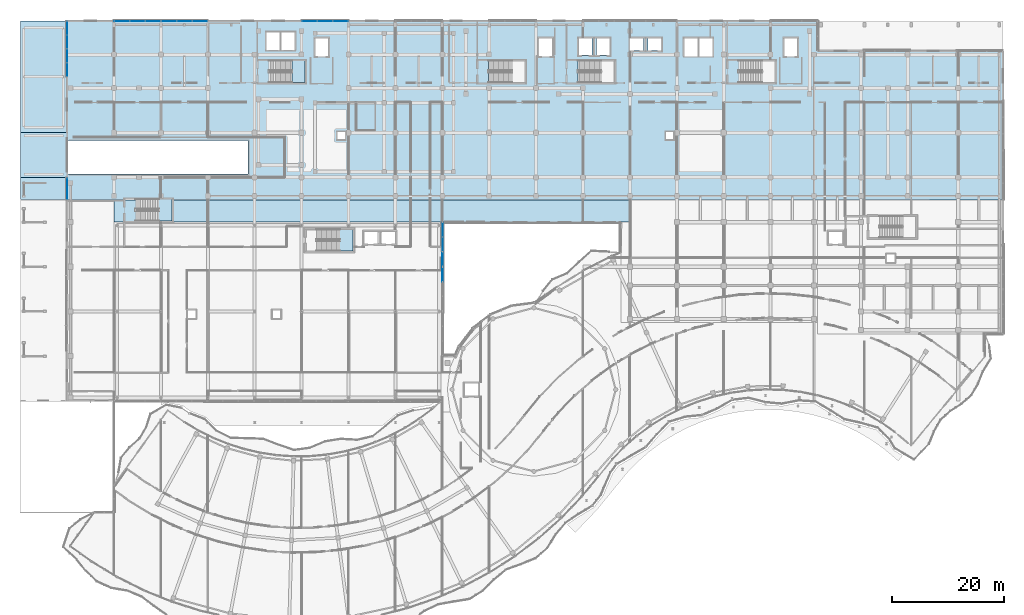
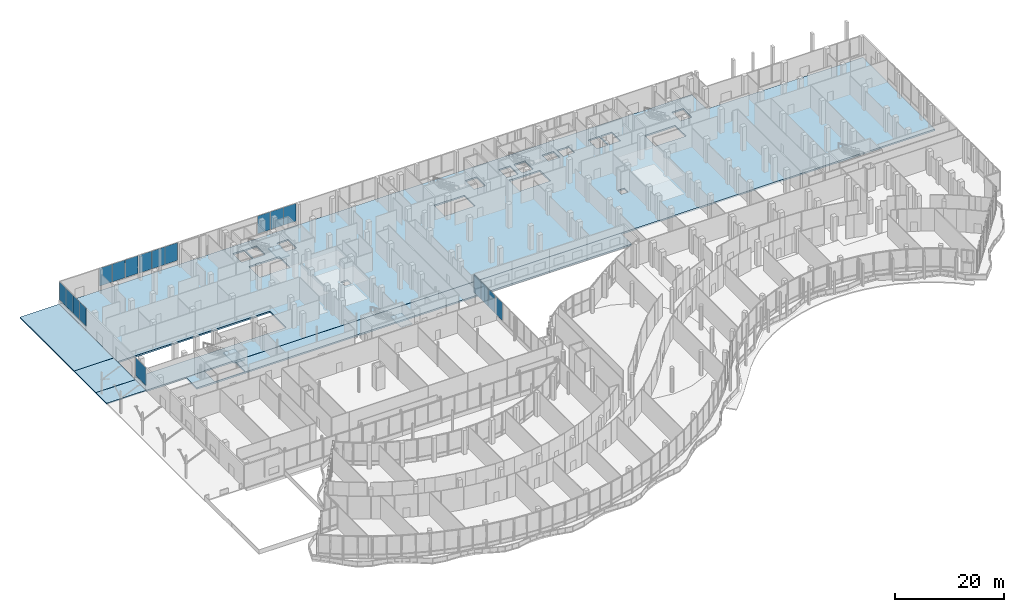
# One storey, part 127 of 158: 18 plates, 8 slabs, 10 elements without a shape of their own.
"""IFC4 building model written with IfcOpenShell, lengths in metres."""

from ifc_helpers import new_model, si_unit, direction, frame, origin, origin_2d, place, context, subcontext, project, spatial, polyline, rectangle, outline, extrude, material, layer, layer_set, type_object, element, aggregate, save


model = new_model("IFC4")

# Units and contexts
model_context = context("Model", 3, precision=1e-05, world=origin(), true_north=direction((0.0, 1.0)))
body_context = subcontext(model_context, "Body", "Model", "MODEL_VIEW")
ifc_project = project(units=[si_unit("LENGTHUNIT", "METRE"), si_unit("AREAUNIT", "SQUARE_METRE"), si_unit("VOLUMEUNIT", "CUBIC_METRE"), si_unit("PLANEANGLEUNIT", "RADIAN"), si_unit("MASSUNIT", "GRAM", prefix="KILO")], contexts=[model_context])

# Site, building, storey
site_placement = place(None, origin())
site = spatial("IfcSite", under=ifc_project, at=site_placement, CompositionType="ELEMENT")
building_placement = place(site_placement, origin())
building = spatial("IfcBuilding", under=site, at=building_placement, Name="Selatvlak General Hospital", CompositionType="ELEMENT")
storey_placement = place(building_placement, origin())
storey = spatial("IfcBuildingStorey", under=building, at=storey_placement, Name="L00", CompositionType="ELEMENT", Elevation=0.0)

# Curtain wall, plate
ifc_material_1 = material(Name="Solar-control Low-E double glazing", Category="glass")
curtain_wall_type_1 = type_object("IfcCurtainWallType", Name="CW-CW-02", PredefinedType="USERDEFINED", material=ifc_material_1)
curtain_wall_1_placement = place(storey_placement, origin())
curtain_wall_1 = element("IfcCurtainWall", 1, at=curtain_wall_1_placement, inside=storey, type_object=curtain_wall_type_1, Name="Glazed facade curtain wall CW-L00-0001", ObjectType="UNITISED CURTAIN WALL", PredefinedType="USERDEFINED")
ifc_layer_1 = layer(ifc_material_1, 0.028076171875, Name="Solar-control Low-E double glazing", Category="glass")
ifc_layer_set_1 = layer_set([ifc_layer_1], Name="Solar-control Low-E double glazing")
plate_type = type_object("IfcPlateType", Name="CWP-01", PredefinedType="CURTAIN_PANEL", material=ifc_layer_set_1)
plate_1_placement = place(storey_placement, frame((14.39990234375, 89.9794921875, 1.0048828125), z_axis=(0.0, 0.0, 1.0), x_axis=(0.0, 1.0, 0.0)))
plate_1 = element("IfcPlate", 2, at=plate_1_placement, type_object=plate_type, Name="CW-02 panel 1.1", PredefinedType="CURTAIN_PANEL", context=body_context, shape_type="SweptSolid", body=[
    extrude(rectangle(XDim=3.801025390625, YDim=0.028076171875, at=origin_2d()), origin(), (0.0, 0.0, 1.0), 4.010009765625),
])
aggregate(curtain_wall_1, [plate_1])

# Curtain wall, plates
curtain_wall_type_2 = type_object("IfcCurtainWallType", Name="CW-CW-01", PredefinedType="USERDEFINED", material=ifc_material_1)
curtain_wall_2_placement = place(storey_placement, origin())
curtain_wall_2 = element("IfcCurtainWall", 3, at=curtain_wall_2_placement, inside=storey, type_object=curtain_wall_type_2, Name="Glazed facade curtain wall CW-L00-0002", ObjectType="UNITISED CURTAIN WALL", PredefinedType="USERDEFINED")
plate_2_placement = place(storey_placement, frame((14.39990234375, 111.2939453125, 1.0048828125), z_axis=(0.0, 0.0, 1.0), x_axis=(0.0, 1.0, 0.0)))
plate_2 = element("IfcPlate", 4, at=plate_2_placement, type_object=plate_type, Name="CW-01 panel 1.1", PredefinedType="CURTAIN_PANEL", context=body_context, shape_type="SweptSolid", body=[
    extrude(rectangle(XDim=2.389892578125, YDim=0.028076171875, at=origin_2d()), origin(), (0.0, 0.0, 1.0), 4.010009765625),
])
plate_3_placement = place(storey_placement, frame((14.39990234375, 113.76513671875, 1.0048828125), z_axis=(0.0, 0.0, 1.0), x_axis=(0.0, 1.0, 0.0)))
plate_3 = element("IfcPlate", 5, at=plate_3_placement, type_object=plate_type, Name="CW-01 panel 2.1", PredefinedType="CURTAIN_PANEL", context=body_context, shape_type="SweptSolid", body=[
    extrude(rectangle(XDim=2.422607421875, YDim=0.028076171875, at=origin_2d()), origin(), (0.0, 0.0, 1.0), 4.010009765625),
])
plate_4_placement = place(storey_placement, frame((14.39990234375, 116.252685546875, 1.0048828125), z_axis=(0.0, 0.0, 1.0), x_axis=(0.0, 1.0, 0.0)))
plate_4 = element("IfcPlate", 6, at=plate_4_placement, type_object=plate_type, Name="CW-01 panel 3.1", PredefinedType="CURTAIN_PANEL", context=body_context, shape_type="SweptSolid", body=[
    extrude(rectangle(XDim=2.422607421875, YDim=0.028076171875, at=origin_2d()), origin(), (0.0, 0.0, 1.0), 4.010009765625),
])
plate_5_placement = place(storey_placement, frame((14.39990234375, 118.72412109375, 1.0048828125), z_axis=(0.0, 0.0, 1.0), x_axis=(0.0, 1.0, 0.0)))
plate_5 = element("IfcPlate", 7, at=plate_5_placement, type_object=plate_type, Name="CW-01 panel 4.1", PredefinedType="CURTAIN_PANEL", context=body_context, shape_type="SweptSolid", body=[
    extrude(rectangle(XDim=2.389892578125, YDim=0.028076171875, at=origin_2d()), origin(), (0.0, 0.0, 1.0), 4.010009765625),
])
aggregate(curtain_wall_2, [plate_2, plate_3, plate_4, plate_5])

curtain_wall_3_placement = place(storey_placement, origin())
curtain_wall_3 = element("IfcCurtainWall", 8, at=curtain_wall_3_placement, inside=storey, type_object=curtain_wall_type_2, Name="Glazed facade curtain wall CW-L00-0003", ObjectType="UNITISED CURTAIN WALL", PredefinedType="USERDEFINED")
plate_6_placement = place(storey_placement, frame((24.226318359375, 119.9990234375, 1.0048828125), z_axis=(0.0, 0.0, 1.0), x_axis=(1.0, 0.0, 0.0)))
plate_6 = element("IfcPlate", 9, at=plate_6_placement, type_object=plate_type, Name="CW-01 panel 1.1", PredefinedType="CURTAIN_PANEL", context=body_context, shape_type="SweptSolid", body=[
    extrude(rectangle(XDim=2.6923828125, YDim=0.028076171875, at=origin_2d()), origin(), (0.0, 0.0, 1.0), 4.010009765625),
])
plate_7_placement = place(storey_placement, frame((27.0, 119.9990234375, 1.0048828125), z_axis=(0.0, 0.0, 1.0), x_axis=(1.0, 0.0, 0.0)))
plate_7 = element("IfcPlate", 10, at=plate_7_placement, type_object=plate_type, Name="CW-01 panel 2.1", PredefinedType="CURTAIN_PANEL", context=body_context, shape_type="SweptSolid", body=[
    extrude(rectangle(XDim=2.72509765625, YDim=0.028076171875, at=origin_2d()), origin(), (0.0, 0.0, 1.0), 4.010009765625),
])
plate_8_placement = place(storey_placement, frame((29.773681640625, 119.9990234375, 1.0048828125), z_axis=(0.0, 0.0, 1.0), x_axis=(1.0, 0.0, 0.0)))
plate_8 = element("IfcPlate", 11, at=plate_8_placement, type_object=plate_type, Name="CW-01 panel 3.1", PredefinedType="CURTAIN_PANEL", context=body_context, shape_type="SweptSolid", body=[
    extrude(rectangle(XDim=2.6923828125, YDim=0.028076171875, at=origin_2d()), origin(), (0.0, 0.0, 1.0), 4.010009765625),
])
aggregate(curtain_wall_3, [plate_6, plate_7, plate_8])

curtain_wall_4_placement = place(storey_placement, origin())
curtain_wall_4 = element("IfcCurtainWall", 12, at=curtain_wall_4_placement, inside=storey, type_object=curtain_wall_type_1, Name="Glazed facade curtain wall CW-L00-0004", ObjectType="UNITISED CURTAIN WALL", PredefinedType="USERDEFINED")
plate_9_placement = place(storey_placement, frame((32.66796875, 119.9990234375, 1.0048828125), z_axis=(0.0, 0.0, 1.0), x_axis=(1.0, 0.0, 0.0)))
plate_9 = element("IfcPlate", 13, at=plate_9_placement, type_object=plate_type, Name="CW-02 panel 1.1", PredefinedType="CURTAIN_PANEL", context=body_context, shape_type="SweptSolid", body=[
    extrude(rectangle(XDim=2.67578125, YDim=0.028076171875, at=origin_2d()), origin(), (0.0, 0.0, 1.0), 4.010009765625),
])
plate_10_placement = place(storey_placement, frame((35.425048828125, 119.9990234375, 1.0048828125), z_axis=(0.0, 0.0, 1.0), x_axis=(1.0, 0.0, 0.0)))
plate_10 = element("IfcPlate", 14, at=plate_10_placement, type_object=plate_type, Name="CW-02 panel 2.1", PredefinedType="CURTAIN_PANEL", context=body_context, shape_type="SweptSolid", body=[
    extrude(rectangle(XDim=2.708251953125, YDim=0.028076171875, at=origin_2d()), origin(), (0.0, 0.0, 1.0), 4.010009765625),
])
plate_11_placement = place(storey_placement, frame((38.18212890625, 119.9990234375, 1.0048828125), z_axis=(0.0, 0.0, 1.0), x_axis=(1.0, 0.0, 0.0)))
plate_11 = element("IfcPlate", 15, at=plate_11_placement, type_object=plate_type, Name="CW-02 panel 3.1", PredefinedType="CURTAIN_PANEL", context=body_context, shape_type="SweptSolid", body=[
    extrude(rectangle(XDim=2.67578125, YDim=0.028076171875, at=origin_2d()), origin(), (0.0, 0.0, 1.0), 4.010009765625),
])
aggregate(curtain_wall_4, [plate_9, plate_10, plate_11])

curtain_wall_5_placement = place(storey_placement, origin())
curtain_wall_5 = element("IfcCurtainWall", 16, at=curtain_wall_5_placement, inside=storey, type_object=curtain_wall_type_2, Name="Glazed facade curtain wall CW-L00-0005", ObjectType="UNITISED CURTAIN WALL", PredefinedType="USERDEFINED")
plate_12_placement = place(storey_placement, frame((57.826171875, 119.9990234375, 1.0048828125), z_axis=(0.0, 0.0, 1.0), x_axis=(1.0, 0.0, 0.0)))
plate_12 = element("IfcPlate", 17, at=plate_12_placement, type_object=plate_type, Name="CW-01 panel 1.1", PredefinedType="CURTAIN_PANEL", context=body_context, shape_type="SweptSolid", body=[
    extrude(rectangle(XDim=2.6923828125, YDim=0.028076171875, at=origin_2d()), origin(), (0.0, 0.0, 1.0), 4.010009765625),
])
plate_13_placement = place(storey_placement, frame((60.60009765625, 119.9990234375, 1.0048828125), z_axis=(0.0, 0.0, 1.0), x_axis=(1.0, 0.0, 0.0)))
plate_13 = element("IfcPlate", 18, at=plate_13_placement, type_object=plate_type, Name="CW-01 panel 2.1", PredefinedType="CURTAIN_PANEL", context=body_context, shape_type="SweptSolid", body=[
    extrude(rectangle(XDim=2.72509765625, YDim=0.028076171875, at=origin_2d()), origin(), (0.0, 0.0, 1.0), 4.010009765625),
])
plate_14_placement = place(storey_placement, frame((63.373779296875, 119.9990234375, 1.0048828125), z_axis=(0.0, 0.0, 1.0), x_axis=(1.0, 0.0, 0.0)))
plate_14 = element("IfcPlate", 19, at=plate_14_placement, type_object=plate_type, Name="CW-01 panel 3.1", PredefinedType="CURTAIN_PANEL", context=body_context, shape_type="SweptSolid", body=[
    extrude(rectangle(XDim=2.6923828125, YDim=0.028076171875, at=origin_2d()), origin(), (0.0, 0.0, 1.0), 4.010009765625),
])
aggregate(curtain_wall_5, [plate_12, plate_13, plate_14])

curtain_wall_6_placement = place(storey_placement, origin())
curtain_wall_6 = element("IfcCurtainWall", 20, at=curtain_wall_6_placement, inside=storey, type_object=curtain_wall_type_1, Name="Glazed facade curtain wall CW-L00-0105", ObjectType="UNITISED CURTAIN WALL", PredefinedType="USERDEFINED")
plate_15_placement = place(storey_placement, frame((81.65673828125, 82.643798828125, 1.0048828125), z_axis=(0.0, 0.0, 1.0), x_axis=(-0.002515715314, -0.999996835583, 0.0)))
plate_15 = element("IfcPlate", 21, at=plate_15_placement, type_object=plate_type, Name="CW-02 panel 1.1", PredefinedType="CURTAIN_PANEL", context=body_context, shape_type="SweptSolid", body=[
    extrude(rectangle(XDim=2.552490234375, YDim=0.028076171875, at=origin_2d()), origin(), (0.0, 0.0, 1.0), 4.010009765625),
])
plate_16_placement = place(storey_placement, frame((81.64990234375, 80.010009765625, 1.0048828125), z_axis=(0.0, 0.0, 1.0), x_axis=(-0.002515715314, -0.999996835583, 0.0)))
plate_16 = element("IfcPlate", 22, at=plate_16_placement, type_object=plate_type, Name="CW-02 panel 2.1", PredefinedType="CURTAIN_PANEL", context=body_context, shape_type="SweptSolid", body=[
    extrude(rectangle(XDim=2.5849609375, YDim=0.028076171875, at=origin_2d()), origin(), (0.0, 0.0, 1.0), 4.010009765625),
])
plate_17_placement = place(storey_placement, frame((81.643310546875, 77.376220703125, 1.0048828125), z_axis=(0.0, 0.0, 1.0), x_axis=(-0.002515715314, -0.999996835583, 0.0)))
plate_17 = element("IfcPlate", 23, at=plate_17_placement, type_object=plate_type, Name="CW-02 panel 3.1", PredefinedType="CURTAIN_PANEL", context=body_context, shape_type="SweptSolid", body=[
    extrude(rectangle(XDim=2.552490234375, YDim=0.028076171875, at=origin_2d()), origin(), (0.0, 0.0, 1.0), 4.010009765625),
])
aggregate(curtain_wall_6, [plate_15, plate_16, plate_17])

# Curtain wall, plate
curtain_wall_7_placement = place(storey_placement, origin())
curtain_wall_7 = element("IfcCurtainWall", 24, at=curtain_wall_7_placement, inside=storey, type_object=curtain_wall_type_2, Name="Glazed facade curtain wall CW-L00-0106", ObjectType="UNITISED CURTAIN WALL", PredefinedType="USERDEFINED")
plate_18_placement = place(storey_placement, frame((81.63671875, 74.6220703125, 1.0048828125), z_axis=(0.0, 0.0, 1.0), x_axis=(-0.002531637448, -0.999996795401, 0.0)))
plate_18 = element("IfcPlate", 25, at=plate_18_placement, type_object=plate_type, Name="CW-01 panel 1.1", PredefinedType="CURTAIN_PANEL", context=body_context, shape_type="SweptSolid", body=[
    extrude(rectangle(XDim=2.535888671875, YDim=0.028076171875, at=origin_2d()), origin(), (0.0, 0.0, 1.0), 4.010009765625),
])
aggregate(curtain_wall_7, [plate_18])

# Stair, slab
ifc_material_2 = material(Name="Precast concrete C40/50", Category="concrete")
stair_type_1 = type_object("IfcStairType", Name="STAIR-ST-01", PredefinedType="HALF_TURN_STAIR", material=ifc_material_2)
stair_1_placement = place(storey_placement, origin())
stair_1 = element("IfcStair", 26, at=stair_1_placement, inside=storey, type_object=stair_type_1, Name="L00 Protected exit stair ST-01", PredefinedType="HALF_TURN_STAIR")
ifc_material_3 = material(Name="Concrete C40/50", Category="concrete")
ifc_layer_2 = layer(ifc_material_3, 0.199951171875, Name="Concrete C40/50", Category="concrete")
ifc_layer_set_2 = layer_set([ifc_layer_2], Name="Concrete C40/50")
slab_type_1 = type_object("IfcSlabType", Name="SLAB-LND1", PredefinedType="LANDING", material=ifc_layer_set_2)
slab_1_placement = place(storey_placement, frame((0.0, 0.0, 2.5)))
slab_1 = element("IfcSlab", 27, at=slab_1_placement, type_object=slab_type_1, Name="ST-01 landing 1", PredefinedType="LANDING", context=body_context, shape_type="SweptSolid", body=[
    extrude(outline(polyline([(54.6650390625, 109.0), (57.050048828125, 109.0), (57.050048828125, 112.93994140625), (54.6650390625, 112.93994140625), (54.6650390625, 109.0)])), origin(), (0.0, 0.0, 1.0), 0.199951171875),
])
aggregate(stair_1, [slab_1])

stair_type_2 = type_object("IfcStairType", Name="STAIR-ST-05", PredefinedType="HALF_TURN_STAIR", material=ifc_material_2)
stair_2_placement = place(storey_placement, origin())
stair_2 = element("IfcStair", 28, at=stair_2_placement, inside=storey, type_object=stair_type_2, Name="L00 Protected exit stair ST-05", PredefinedType="HALF_TURN_STAIR")
slab_2_placement = place(storey_placement, frame((0.0, 0.0, 2.5)))
slab_2 = element("IfcSlab", 29, at=slab_2_placement, type_object=slab_type_1, Name="ST-05 landing 1", PredefinedType="LANDING", context=body_context, shape_type="SweptSolid", body=[
    extrude(outline(polyline([(63.215087890625, 78.800048828125), (65.60009765625, 78.800048828125), (65.60009765625, 82.739990234375), (63.215087890625, 82.739990234375), (63.215087890625, 78.800048828125)])), origin(), (0.0, 0.0, 1.0), 0.199951171875),
])
aggregate(stair_2, [slab_2])

stair_type_3 = type_object("IfcStairType", Name="STAIR-ST-07", PredefinedType="HALF_TURN_STAIR", material=ifc_material_2)
stair_3_placement = place(storey_placement, origin())
stair_3 = element("IfcStair", 30, at=stair_3_placement, inside=storey, type_object=stair_type_3, Name="L00 Protected exit stair ST-07", PredefinedType="HALF_TURN_STAIR")
slab_3_placement = place(storey_placement, frame((0.0, 0.0, 2.5)))
slab_3 = element("IfcSlab", 31, at=slab_3_placement, type_object=slab_type_1, Name="ST-07 landing 1", PredefinedType="LANDING", context=body_context, shape_type="SweptSolid", body=[
    extrude(outline(polyline([(30.81494140625, 84.199951171875), (33.199951171875, 84.199951171875), (33.199951171875, 88.139892578125), (30.81494140625, 88.139892578125), (30.81494140625, 84.199951171875)])), origin(), (0.0, 0.0, 1.0), 0.199951171875),
])
aggregate(stair_3, [slab_3])

# Slabs
ifc_material_4 = material(Name="Concrete C35/45", Category="concrete")
ifc_layer_3 = layer(ifc_material_4, 0.2451171875, Name="Concrete C35/45", Category="concrete")
ifc_layer_set_3 = layer_set([ifc_layer_3], Name="Concrete C35/45")
slab_type_2 = type_object("IfcSlabType", Name="SLAB-SL-AP1", PredefinedType="BASESLAB", material=ifc_layer_set_3)
slab_4_placement = place(storey_placement, frame((0.0, 0.0, -0.2451171875)))
element("IfcSlab", 32, at=slab_4_placement, inside=storey, type_object=slab_type_2, Name="Ground colonnade and entrance deck SL-APRON-AMBULANCE-2", PredefinedType="BASESLAB", context=body_context, shape_type="SweptSolid", body=[
    extrude(outline(polyline([(14.39208984375, 91.989990234375), (14.39208984375, 88.028076171875), (6.02001953125, 88.028076171875), (6.02001953125, 91.989990234375), (14.39208984375, 91.989990234375)])), origin(), (0.0, 0.0, 1.0), 0.2451171875),
])
slab_5_placement = place(storey_placement, frame((0.0, 0.0, -0.2451171875)))
element("IfcSlab", 33, at=slab_5_placement, inside=storey, type_object=slab_type_2, Name="Ground colonnade and entrance deck SL-APRON-RAMP", PredefinedType="BASESLAB", context=body_context, shape_type="SweptSolid", body=[
    extrude(outline(polyline([(14.39208984375, 100.0), (14.39208984375, 92.0), (6.02001953125, 92.0), (6.02001953125, 100.0), (14.39208984375, 100.0)])), origin(), (0.0, 0.0, 1.0), 0.2451171875),
])
slab_6_placement = place(storey_placement, frame((0.0, 0.0, -0.2451171875)))
element("IfcSlab", 34, at=slab_6_placement, inside=storey, type_object=slab_type_2, Name="Ground colonnade and entrance deck SL-APRON-NW", PredefinedType="BASESLAB", context=body_context, shape_type="SweptSolid", body=[
    extrude(outline(polyline([(14.389892578125, 100.010009765625), (6.02001953125, 100.010009765625), (6.02001953125, 119.97998046875), (14.389892578125, 119.97998046875), (14.389892578125, 100.010009765625)])), origin(), (0.0, 0.0, 1.0), 0.2451171875),
])
ifc_layer_4 = layer(ifc_material_3, 0.35009765625, Name="Concrete C40/50", Category="concrete")
ifc_layer_set_4 = layer_set([ifc_layer_4], Name="Concrete C40/50")
slab_type_3 = type_object("IfcSlabType", Name="SLAB-SL-FL0", PredefinedType="FLOOR", material=ifc_layer_set_4)
slab_7_placement = place(storey_placement, frame((0.0, 0.0, -0.35009765625)))
element("IfcSlab", 35, at=slab_7_placement, inside=storey, type_object=slab_type_3, Name="L00 V3S structural slab", PredefinedType="FLOOR", context=body_context, shape_type="SweptSolid", body=[
    extrude(outline(polyline([(115.199951171875, 84.0), (22.80810546875, 84.008056640625), (22.80810546875, 88.0), (26.705078125, 88.0), (26.705078125, 84.199951171875), (33.199951171875, 84.199951171875), (33.199951171875, 88.0), (115.199951171875, 88.0), (115.199951171875, 84.0)])), origin(), (0.0, 0.0, 1.0), 0.35009765625),
])
slab_8_placement = place(storey_placement, frame((0.0, 0.0, -0.35009765625)))
element("IfcSlab", 36, at=slab_8_placement, inside=storey, type_object=slab_type_3, Name="L00 V5N structural slab", PredefinedType="FLOOR", context=body_context, shape_type="SweptSolid", body=[
    extrude(outline(polyline([(33.199951171875, 88.008056640625), (33.199951171875, 88.139892578125), (26.705078125, 88.139892578125), (26.705078125, 88.008056640625), (14.39990234375, 88.008056640625), (14.39990234375, 120.0), (148.800048828125, 120.0), (148.800048828125, 114.60009765625), (182.0, 114.60009765625), (182.0, 88.0), (33.199951171875, 88.008056640625)]), holes=[polyline([(50.554931640625, 112.93994140625), (50.554931640625, 109.0), (57.050048828125, 109.0), (57.050048828125, 112.93994140625), (50.554931640625, 112.93994140625)]), polyline([(96.39990234375, 112.93994140625), (89.905029296875, 112.93994140625), (89.905029296875, 109.0), (96.39990234375, 109.0), (96.39990234375, 112.93994140625)]), polyline([(112.39990234375, 109.0), (112.39990234375, 112.93994140625), (105.905029296875, 112.93994140625), (105.905029296875, 109.0), (112.39990234375, 109.0)]), polyline([(134.705078125, 109.0), (141.199951171875, 109.0), (141.199951171875, 112.93994140625), (134.705078125, 112.93994140625), (134.705078125, 109.0)]), polyline([(58.800048828125, 116.89990234375), (58.800048828125, 113.699951171875), (61.199951171875, 113.699951171875), (61.199951171875, 116.89990234375), (58.800048828125, 116.89990234375)]), polyline([(101.300048828125, 116.89990234375), (98.89990234375, 116.89990234375), (98.89990234375, 113.699951171875), (101.300048828125, 113.699951171875), (101.300048828125, 116.89990234375)]), polyline([(145.199951171875, 113.699951171875), (145.199951171875, 116.89990234375), (142.800048828125, 116.89990234375), (142.800048828125, 113.699951171875), (145.199951171875, 113.699951171875)]), polyline([(50.10009765625, 114.800048828125), (52.5, 114.800048828125), (52.5, 118.0), (50.10009765625, 118.0), (50.10009765625, 114.800048828125)]), polyline([(52.75, 118.0), (52.75, 114.800048828125), (55.14990234375, 114.800048828125), (55.14990234375, 118.0), (52.75, 118.0)]), polyline([(127.35009765625, 116.89990234375), (124.949951171875, 116.89990234375), (124.949951171875, 113.699951171875), (127.35009765625, 113.699951171875), (127.35009765625, 116.89990234375)]), polyline([(130.0, 113.699951171875), (130.0, 116.89990234375), (127.60009765625, 116.89990234375), (127.60009765625, 113.699951171875), (130.0, 113.699951171875)]), polyline([(115.199951171875, 114.699951171875), (117.60009765625, 114.699951171875), (117.60009765625, 116.89990234375), (115.199951171875, 116.89990234375), (115.199951171875, 114.699951171875)]), polyline([(118.39990234375, 116.89990234375), (118.39990234375, 114.699951171875), (120.800048828125, 114.699951171875), (120.800048828125, 116.89990234375), (118.39990234375, 116.89990234375)]), polyline([(108.39990234375, 116.89990234375), (106.0, 116.89990234375), (106.0, 113.89990234375), (108.39990234375, 113.89990234375), (108.39990234375, 116.89990234375)]), polyline([(111.60009765625, 113.89990234375), (111.60009765625, 116.89990234375), (109.199951171875, 116.89990234375), (109.199951171875, 113.89990234375), (111.60009765625, 113.89990234375)]), polyline([(62.800048828125, 98.800048828125), (64.199951171875, 98.800048828125), (64.199951171875, 100.199951171875), (62.800048828125, 100.199951171875), (62.800048828125, 98.800048828125)]), polyline([(121.60009765625, 100.199951171875), (121.60009765625, 98.800048828125), (123.0, 98.800048828125), (123.0, 100.199951171875), (121.60009765625, 100.199951171875)]), polyline([(46.800048828125, 92.60009765625), (46.800048828125, 98.60009765625), (14.445068359375, 98.60009765625), (14.445068359375, 92.60009765625), (46.800048828125, 92.60009765625)])]), origin(), (0.0, 0.0, 1.0), 0.35009765625),
])

save(model, "model.ifc")
